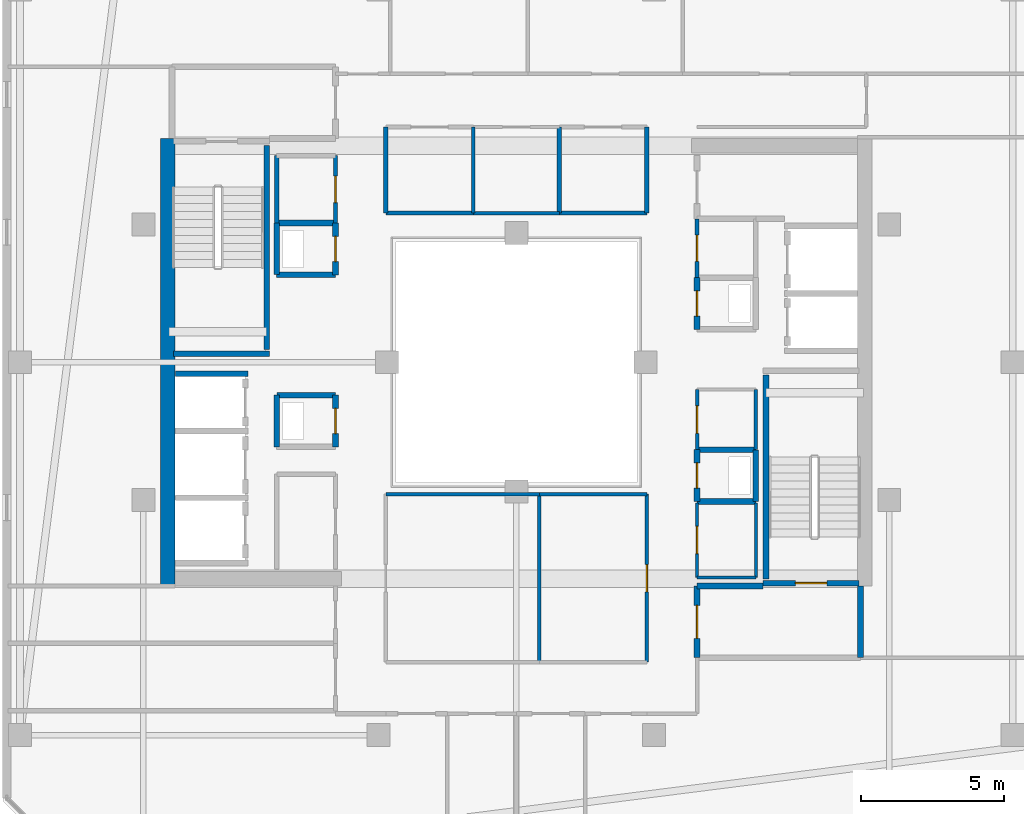
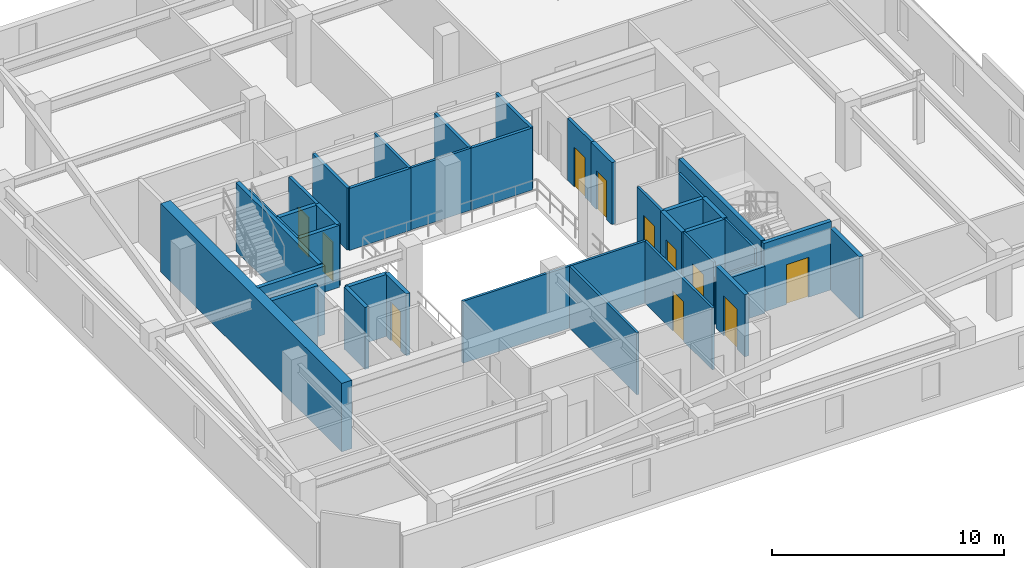
# One storey, part 26 of 35: 40 walls, 11 doors, 11 openings.
"""IFC4 building model written with IfcOpenShell, lengths in metres."""

from ifc_helpers import new_model, si_unit, direction, frame, frame_2d, origin, place, context, subcontext, project, spatial, rectangle, extrude, material, layer, layer_set, type_object, element, fill, save


model = new_model("IFC4")

# Units and contexts
model_context = context("Model", 3, precision=1e-05, world=origin(), true_north=direction((0.0, 1.0)))
body_context = subcontext(model_context, "Body", "Model", "MODEL_VIEW")
ifc_project = project(units=[si_unit("LENGTHUNIT", "METRE"), si_unit("AREAUNIT", "SQUARE_METRE"), si_unit("VOLUMEUNIT", "CUBIC_METRE"), si_unit("PLANEANGLEUNIT", "RADIAN"), si_unit("MASSUNIT", "GRAM", prefix="KILO")], contexts=[model_context])

# Site, building, storey
site_placement = place(None, origin())
site = spatial("IfcSite", under=ifc_project, at=site_placement, CompositionType="ELEMENT")
building_placement = place(site_placement, origin())
building = spatial("IfcBuilding", under=site, at=building_placement, Name="Thornwick Lancets Civic Towers", CompositionType="ELEMENT")
storey_placement = place(building_placement, frame((0.0, 0.0, 276.300048828125)))
storey = spatial("IfcBuildingStorey", under=building, at=storey_placement, Name="L74", CompositionType="ELEMENT", Elevation=276.300048828125)

# Walls
ifc_material_1 = material(Name="Concrete blockwork C40/50", Category="masonry")
ifc_layer_1 = layer(ifc_material_1, 0.199951171875, Name="Concrete blockwork C40/50")
ifc_layer_set_1 = layer_set([ifc_layer_1], Name="Concrete blockwork C40/50")
wall_type_1 = type_object("IfcWallType", Name="WALL_COMP_200", PredefinedType="STANDARD", material=ifc_layer_set_1)
wall_1_placement = place(storey_placement, frame((76.612060546875, 26.60009765625, 0.0), z_axis=(0.0, 0.0, 1.0), x_axis=(1.0, 0.0, 0.0)))
element("IfcWall", 1, at=wall_1_placement, inside=storey, type_object=wall_type_1, Name="L74 Hoistway Shaft Wall FL-B2 N", PredefinedType="STANDARD", context=body_context, shape_type="SweptSolid", body=[
    extrude(rectangle(XDim=2.535888671875, YDim=0.199951171875, at=frame_2d((1.26806640625, 0.0))), origin(), (0.0, 0.0, 1.0), 3.260009765625),
])
wall_2_placement = place(storey_placement, frame((100.5, 16.699951171875, 0.0), z_axis=(0.0, 0.0, 1.0), x_axis=(0.0, 1.0, 0.0)))
element("IfcWall", 2, at=wall_2_placement, inside=storey, type_object=wall_type_1, Name="L74 Partition L74-B-FFLOB1 E2", PredefinedType="STANDARD", context=body_context, shape_type="SweptSolid", body=[
    extrude(rectangle(XDim=2.5, YDim=0.199951171875, at=frame_2d((1.25, 0.0))), origin(), (0.0, 0.0, 1.0), 3.260009765625),
])
wall_3_placement = place(storey_placement, frame((97.10009765625, 19.199951171875, 0.0), z_axis=(0.0, 0.0, 1.0), x_axis=(-1.0, 0.0, 0.0)))
element("IfcWall", 3, at=wall_3_placement, inside=storey, type_object=wall_type_1, Name="L74 Partition L74-B-FFLOB1 E3", PredefinedType="STANDARD", context=body_context, shape_type="SweptSolid", body=[
    extrude(rectangle(XDim=2.300048828125, YDim=0.199951171875, at=frame_2d((1.14990234375, 0.0))), origin(), (0.0, 0.0, 1.0), 2.46484375),
])

# Wall, opening, door
wall_4_placement = place(storey_placement, frame((94.800048828125, 19.199951171875, 0.0), z_axis=(0.0, 0.0, 1.0), x_axis=(0.0, -1.0, 0.0)))
wall_4 = element("IfcWall", 4, at=wall_4_placement, inside=storey, type_object=wall_type_1, Name="L74 Partition L74-B-FFLOB1 E4", PredefinedType="STANDARD", context=body_context, shape_type="SweptSolid", body=[
    extrude(rectangle(XDim=2.5, YDim=0.199951171875, at=frame_2d((1.25, 0.0))), origin(), (0.0, 0.0, 1.0), 3.260009765625),
])
opening_1_placement = place(wall_4_placement, frame((0.675048828125, 0.0, 0.0)))
opening_1 = element("IfcOpeningElement", 5, at=opening_1_placement, cuts=wall_4, Name="Opening D-L74-3397", PredefinedType="OPENING", context=body_context, shape_type="SweptSolid", body=[
    extrude(rectangle(XDim=1.14990234375, YDim=2.10009765625, at=frame_2d((0.574951171875, 1.050048828125))), frame((0.0, 0.10986328125, 0.0), z_axis=(0.0, -1.0, 0.0), x_axis=(1.0, 0.0, 0.0)), (0.0, 0.0, 1.0), 0.219970703125),
])
ifc_material_2 = material(Name="Glazed fire-resisting steel", Category="steel")
door_type_1 = type_object("IfcDoorType", Name="DOOR_LOBBY_FD60", OperationType="NOTDEFINED", PredefinedType="DOOR", material=ifc_material_2)
door_1_placement = place(opening_1_placement, origin())
door_1 = element("IfcDoor", 6, at=door_1_placement, inside=storey, type_object=door_type_1, Name="L74 East Firefighting Lobby 1 Door", OperationType="SINGLE_SWING_RIGHT", OverallHeight=2.10009765625, OverallWidth=1.14990234375, PredefinedType="DOOR", context=body_context, shape_type="SweptSolid", body=[
    extrude(rectangle(XDim=1.14990234375, YDim=2.10009765625, at=frame_2d((0.574951171875, 1.050048828125))), frame((0.0, 0.02490234375, 0.0), z_axis=(0.0, -1.0, 0.0), x_axis=(1.0, 0.0, 0.0)), (0.0, 0.0, 1.0), 0.050048828125),
])
fill(opening_1, door_1)

wall_5_placement = place(storey_placement, frame((94.800048828125, 29.949951171875, 0.0), z_axis=(0.0, 0.0, 1.0), x_axis=(0.0, -1.0, 0.0)))
wall_5 = element("IfcWall", 7, at=wall_5_placement, inside=storey, type_object=wall_type_1, Name="L74 Partition L74-B-DUCT1 E4", PredefinedType="STANDARD", context=body_context, shape_type="SweptSolid", body=[
    extrude(rectangle(XDim=1.800048828125, YDim=0.199951171875, at=frame_2d((0.89990234375, 0.0))), origin(), (0.0, 0.0, 1.0), 3.260009765625),
])
opening_2_placement = place(wall_5_placement, frame((0.4599609375, 0.0, 0.0)))
opening_2 = element("IfcOpeningElement", 8, at=opening_2_placement, cuts=wall_5, Name="Opening D-L74-3399", PredefinedType="OPENING", context=body_context, shape_type="SweptSolid", body=[
    extrude(rectangle(XDim=0.8798828125, YDim=2.0400390625, at=frame_2d((0.43994140625, 1.02001953125))), frame((0.0, 0.10986328125, 0.0), z_axis=(0.0, -1.0, 0.0), x_axis=(1.0, 0.0, 0.0)), (0.0, 0.0, 1.0), 0.219970703125),
])
ifc_material_3 = material(Name="Steel riser access doorset", Category="steel")
door_type_2 = type_object("IfcDoorType", Name="DOOR_RISER_850", OperationType="NOTDEFINED", PredefinedType="DOOR", material=ifc_material_3)
door_2_placement = place(opening_2_placement, origin())
door_2 = element("IfcDoor", 9, at=door_2_placement, inside=storey, type_object=door_type_2, Name="L74 East Service Duct 1 Door", OperationType="SINGLE_SWING_RIGHT", OverallHeight=2.0400390625, OverallWidth=0.8798828125, PredefinedType="DOOR", context=body_context, shape_type="SweptSolid", body=[
    extrude(rectangle(XDim=0.8798828125, YDim=2.0400390625, at=frame_2d((0.43994140625, 1.02001953125))), frame((0.0, 0.02490234375, 0.0), z_axis=(0.0, -1.0, 0.0), x_axis=(1.0, 0.0, 0.0)), (0.0, 0.0, 1.0), 0.050048828125),
])
fill(opening_2, door_2)

# Walls
wall_6_placement = place(storey_placement, frame((94.800048828125, 22.14990234375, 0.0), z_axis=(0.0, 0.0, 1.0), x_axis=(1.0, 0.0, 0.0)))
element("IfcWall", 10, at=wall_6_placement, inside=storey, type_object=wall_type_1, Name="L74 Partition L74-B-RISER1 E1", PredefinedType="STANDARD", context=body_context, shape_type="SweptSolid", body=[
    extrude(rectangle(XDim=2.050048828125, YDim=0.199951171875, at=frame_2d((1.02490234375, 0.0))), origin(), (0.0, 0.0, 1.0), 3.260009765625),
])
wall_7_placement = place(storey_placement, frame((96.85009765625, 22.14990234375, 0.0), z_axis=(0.0, 0.0, 1.0), x_axis=(0.0, 1.0, 0.0)))
element("IfcWall", 11, at=wall_7_placement, inside=storey, type_object=wall_type_1, Name="L74 Partition L74-B-RISER1 E2", PredefinedType="STANDARD", context=body_context, shape_type="SweptSolid", body=[
    extrude(rectangle(XDim=1.800048828125, YDim=0.199951171875, at=frame_2d((0.89990234375, 0.0))), origin(), (0.0, 0.0, 1.0), 3.260009765625),
])
wall_8_placement = place(storey_placement, frame((96.85009765625, 23.949951171875, 0.0), z_axis=(0.0, 0.0, 1.0), x_axis=(-1.0, 0.0, 0.0)))
element("IfcWall", 12, at=wall_8_placement, inside=storey, type_object=wall_type_1, Name="L74 Partition L74-B-RISER1 E3", PredefinedType="STANDARD", context=body_context, shape_type="SweptSolid", body=[
    extrude(rectangle(XDim=2.050048828125, YDim=0.199951171875, at=frame_2d((1.02490234375, 0.0))), origin(), (0.0, 0.0, 1.0), 3.260009765625),
])

# Wall, opening, door
wall_9_placement = place(storey_placement, frame((94.800048828125, 23.949951171875, 0.0), z_axis=(0.0, 0.0, 1.0), x_axis=(0.0, -1.0, 0.0)))
wall_9 = element("IfcWall", 13, at=wall_9_placement, inside=storey, type_object=wall_type_1, Name="L74 Partition L74-B-RISER1 E4", PredefinedType="STANDARD", context=body_context, shape_type="SweptSolid", body=[
    extrude(rectangle(XDim=1.800048828125, YDim=0.199951171875, at=frame_2d((0.89990234375, 0.0))), origin(), (0.0, 0.0, 1.0), 3.260009765625),
])
opening_3_placement = place(wall_9_placement, frame((0.4599609375, 0.0, 0.0)))
opening_3 = element("IfcOpeningElement", 14, at=opening_3_placement, cuts=wall_9, Name="Opening D-L74-3400", PredefinedType="OPENING", context=body_context, shape_type="SweptSolid", body=[
    extrude(rectangle(XDim=0.8798828125, YDim=2.0400390625, at=frame_2d((0.43994140625, 1.02001953125))), frame((0.0, 0.10986328125, 0.0), z_axis=(0.0, -1.0, 0.0), x_axis=(1.0, 0.0, 0.0)), (0.0, 0.0, 1.0), 0.219970703125),
])
door_3_placement = place(opening_3_placement, origin())
door_3 = element("IfcDoor", 15, at=door_3_placement, inside=storey, type_object=door_type_2, Name="L74 East Electrical Riser 1 Door", OperationType="SINGLE_SWING_LEFT", OverallHeight=2.0400390625, OverallWidth=0.8798828125, PredefinedType="DOOR", context=body_context, shape_type="SweptSolid", body=[
    extrude(rectangle(XDim=0.8798828125, YDim=2.0400390625, at=frame_2d((0.43994140625, 1.02001953125))), frame((0.0, 0.02490234375, 0.0), z_axis=(0.0, -1.0, 0.0), x_axis=(1.0, 0.0, 0.0)), (0.0, 0.0, 1.0), 0.050048828125),
])
fill(opening_3, door_3)

wall_10_placement = place(storey_placement, frame((82.199951171875, 24.050048828125, 0.0), z_axis=(0.0, 0.0, 1.0), x_axis=(0.0, 1.0, 0.0)))
wall_10 = element("IfcWall", 16, at=wall_10_placement, inside=storey, type_object=wall_type_1, Name="L74 Partition L74-B-DUCT2 E2", PredefinedType="STANDARD", context=body_context, shape_type="SweptSolid", body=[
    extrude(rectangle(XDim=1.800048828125, YDim=0.199951171875, at=frame_2d((0.89990234375, 0.0))), origin(), (0.0, 0.0, 1.0), 3.260009765625),
])
opening_4_placement = place(wall_10_placement, frame((0.4599609375, 0.0, 0.0)))
opening_4 = element("IfcOpeningElement", 17, at=opening_4_placement, cuts=wall_10, Name="Opening D-L74-3401", PredefinedType="OPENING", context=body_context, shape_type="SweptSolid", body=[
    extrude(rectangle(XDim=0.8798828125, YDim=2.0400390625, at=frame_2d((0.43994140625, 1.02001953125))), frame((0.0, 0.10986328125, 0.0), z_axis=(0.0, -1.0, 0.0), x_axis=(1.0, 0.0, 0.0)), (0.0, 0.0, 1.0), 0.219970703125),
])
door_4_placement = place(opening_4_placement, origin())
door_4 = element("IfcDoor", 18, at=door_4_placement, inside=storey, type_object=door_type_2, Name="L74 West Service Duct 2 Door", OperationType="SINGLE_SWING_RIGHT", OverallHeight=2.0400390625, OverallWidth=0.8798828125, PredefinedType="DOOR", context=body_context, shape_type="SweptSolid", body=[
    extrude(rectangle(XDim=0.8798828125, YDim=2.0400390625, at=frame_2d((0.43994140625, 1.02001953125))), frame((0.0, 0.02490234375, 0.0), z_axis=(0.0, -1.0, 0.0), x_axis=(1.0, 0.0, 0.0)), (0.0, 0.0, 1.0), 0.050048828125),
])
fill(opening_4, door_4)

# Walls
wall_11_placement = place(storey_placement, frame((82.199951171875, 25.85009765625, 0.0), z_axis=(0.0, 0.0, 1.0), x_axis=(-1.0, 0.0, 0.0)))
element("IfcWall", 19, at=wall_11_placement, inside=storey, type_object=wall_type_1, Name="L74 Partition L74-B-DUCT2 E3", PredefinedType="STANDARD", context=body_context, shape_type="SweptSolid", body=[
    extrude(rectangle(XDim=2.050048828125, YDim=0.199951171875, at=frame_2d((1.02490234375, 0.0))), origin(), (0.0, 0.0, 1.0), 3.260009765625),
])
wall_12_placement = place(storey_placement, frame((80.14990234375, 25.85009765625, 0.0), z_axis=(0.0, 0.0, 1.0), x_axis=(0.0, -1.0, 0.0)))
element("IfcWall", 20, at=wall_12_placement, inside=storey, type_object=wall_type_1, Name="L74 Partition L74-B-DUCT2 E4", PredefinedType="STANDARD", context=body_context, shape_type="SweptSolid", body=[
    extrude(rectangle(XDim=1.800048828125, YDim=0.199951171875, at=frame_2d((0.89990234375, 0.0))), origin(), (0.0, 0.0, 1.0), 3.260009765625),
])
wall_13_placement = place(storey_placement, frame((80.14990234375, 30.050048828125, 0.0), z_axis=(0.0, 0.0, 1.0), x_axis=(1.0, 0.0, 0.0)))
element("IfcWall", 21, at=wall_13_placement, inside=storey, type_object=wall_type_1, Name="L74 Partition L74-B-RISER2 E1", PredefinedType="STANDARD", context=body_context, shape_type="SweptSolid", body=[
    extrude(rectangle(XDim=2.050048828125, YDim=0.199951171875, at=frame_2d((1.02490234375, 0.0))), origin(), (0.0, 0.0, 1.0), 3.260009765625),
])

# Wall, opening, door
wall_14_placement = place(storey_placement, frame((82.199951171875, 30.050048828125, 0.0), z_axis=(0.0, 0.0, 1.0), x_axis=(0.0, 1.0, 0.0)))
wall_14 = element("IfcWall", 22, at=wall_14_placement, inside=storey, type_object=wall_type_1, Name="L74 Partition L74-B-RISER2 E2", PredefinedType="STANDARD", context=body_context, shape_type="SweptSolid", body=[
    extrude(rectangle(XDim=1.800048828125, YDim=0.199951171875, at=frame_2d((0.89990234375, 0.0))), origin(), (0.0, 0.0, 1.0), 3.260009765625),
])
opening_5_placement = place(wall_14_placement, frame((0.4599609375, 0.0, 0.0)))
opening_5 = element("IfcOpeningElement", 23, at=opening_5_placement, cuts=wall_14, Name="Opening D-L74-3402", PredefinedType="OPENING", context=body_context, shape_type="SweptSolid", body=[
    extrude(rectangle(XDim=0.8798828125, YDim=2.0400390625, at=frame_2d((0.43994140625, 1.02001953125))), frame((0.0, 0.10986328125, 0.0), z_axis=(0.0, -1.0, 0.0), x_axis=(1.0, 0.0, 0.0)), (0.0, 0.0, 1.0), 0.219970703125),
])
door_5_placement = place(opening_5_placement, origin())
door_5 = element("IfcDoor", 24, at=door_5_placement, inside=storey, type_object=door_type_2, Name="L74 West Service Riser 2 Door", OperationType="SINGLE_SWING_LEFT", OverallHeight=2.0400390625, OverallWidth=0.8798828125, PredefinedType="DOOR", context=body_context, shape_type="SweptSolid", body=[
    extrude(rectangle(XDim=0.8798828125, YDim=2.0400390625, at=frame_2d((0.43994140625, 1.02001953125))), frame((0.0, 0.02490234375, 0.0), z_axis=(0.0, -1.0, 0.0), x_axis=(1.0, 0.0, 0.0)), (0.0, 0.0, 1.0), 0.050048828125),
])
fill(opening_5, door_5)

# Walls
wall_15_placement = place(storey_placement, frame((82.199951171875, 31.85009765625, 0.0), z_axis=(0.0, 0.0, 1.0), x_axis=(-1.0, 0.0, 0.0)))
element("IfcWall", 25, at=wall_15_placement, inside=storey, type_object=wall_type_1, Name="L74 Partition L74-B-RISER2 E3", PredefinedType="STANDARD", context=body_context, shape_type="SweptSolid", body=[
    extrude(rectangle(XDim=2.050048828125, YDim=0.199951171875, at=frame_2d((1.02490234375, 0.0))), origin(), (0.0, 0.0, 1.0), 3.260009765625),
])
wall_16_placement = place(storey_placement, frame((80.14990234375, 31.85009765625, 0.0), z_axis=(0.0, 0.0, 1.0), x_axis=(0.0, -1.0, 0.0)))
element("IfcWall", 26, at=wall_16_placement, inside=storey, type_object=wall_type_1, Name="L74 Partition L74-B-RISER2 E4", PredefinedType="STANDARD", context=body_context, shape_type="SweptSolid", body=[
    extrude(rectangle(XDim=1.800048828125, YDim=0.199951171875, at=frame_2d((0.89990234375, 0.0))), origin(), (0.0, 0.0, 1.0), 3.260009765625),
])
ifc_material_4 = material(Name="Concrete C50/60", Category="concrete")
ifc_layer_2 = layer(ifc_material_4, 0.5, Name="Concrete C50/60")
ifc_layer_set_2 = layer_set([ifc_layer_2], Name="Concrete C50/60")
wall_type_2 = type_object("IfcWallType", Name="WALL_CORE_500", PredefinedType="SHEAR", material=ifc_layer_set_2)
wall_17_placement = place(storey_placement, frame((76.35009765625, 19.199951171875, 0.0), z_axis=(0.0, 0.0, 1.0), x_axis=(0.0, 1.0, 0.0)))
element("IfcWall", 27, at=wall_17_placement, inside=storey, type_object=wall_type_2, Name="L74 Split Core B2 Shear Wall W", PredefinedType="SHEAR", context=body_context, shape_type="SweptSolid", body=[
    extrude(rectangle(XDim=15.60009765625, YDim=0.5, at=frame_2d((7.800048828125, 0.0))), origin(), (0.0, 0.0, 1.0), 3.599853515625),
])
ifc_material_5 = material(Name="Lightweight cellular office partition")
ifc_layer_3 = layer(ifc_material_5, 0.10009765625, Name="Lightweight cellular office partition")
ifc_layer_set_3 = layer_set([ifc_layer_3], Name="Lightweight cellular office partition")
wall_type_3 = type_object("IfcWallType", Name="WALL_PART_100", PredefinedType="PARTITIONING", material=ifc_layer_set_3)
wall_18_placement = place(storey_placement, frame((94.800048828125, 19.5, 0.0), z_axis=(0.0, 0.0, 1.0), x_axis=(1.0, 0.0, 0.0)))
element("IfcWall", 28, at=wall_18_placement, inside=storey, type_object=wall_type_3, Name="L74 Partition L74-B-CLN E1", PredefinedType="PARTITIONING", context=body_context, shape_type="SweptSolid", body=[
    extrude(rectangle(XDim=2.050048828125, YDim=0.10009765625, at=frame_2d((1.02490234375, 0.0))), origin(), (0.0, 0.0, 1.0), 2.46484375),
])
wall_19_placement = place(storey_placement, frame((96.85009765625, 19.5, 0.0), z_axis=(0.0, 0.0, 1.0), x_axis=(0.0, 1.0, 0.0)))
element("IfcWall", 29, at=wall_19_placement, inside=storey, type_object=wall_type_3, Name="L74 Partition L74-B-CLN E2", PredefinedType="PARTITIONING", context=body_context, shape_type="SweptSolid", body=[
    extrude(rectangle(XDim=2.60009765625, YDim=0.10009765625, at=frame_2d((1.300048828125, 0.0))), origin(), (0.0, 0.0, 1.0), 3.260009765625),
])

# Wall, opening, door
wall_20_placement = place(storey_placement, frame((94.800048828125, 22.10009765625, 0.0), z_axis=(0.0, 0.0, 1.0), x_axis=(0.0, -1.0, 0.0)))
wall_20 = element("IfcWall", 30, at=wall_20_placement, inside=storey, type_object=wall_type_3, Name="L74 Partition L74-B-CLN E4", PredefinedType="PARTITIONING", context=body_context, shape_type="SweptSolid", body=[
    extrude(rectangle(XDim=2.60009765625, YDim=0.10009765625, at=frame_2d((1.300048828125, 0.0))), origin(), (0.0, 0.0, 1.0), 3.260009765625),
])
opening_6_placement = place(wall_20_placement, frame((0.824951171875, 0.0, 0.0)))
opening_6 = element("IfcOpeningElement", 31, at=opening_6_placement, cuts=wall_20, Name="Opening D-L74-3403", PredefinedType="OPENING", context=body_context, shape_type="SweptSolid", body=[
    extrude(rectangle(XDim=0.949951171875, YDim=2.10009765625, at=frame_2d((0.47509765625, 1.050048828125))), frame((0.0, 0.06005859375, 0.0), z_axis=(0.0, -1.0, 0.0), x_axis=(1.0, 0.0, 0.0)), (0.0, 0.0, 1.0), 0.1201171875),
])
ifc_material_6 = material(Name="European oak acoustic doorset")
door_type_3 = type_object("IfcDoorType", Name="DOOR_OFFICE_950", OperationType="NOTDEFINED", PredefinedType="DOOR", material=ifc_material_6)
door_6_placement = place(opening_6_placement, origin())
door_6 = element("IfcDoor", 32, at=door_6_placement, inside=storey, type_object=door_type_3, Name="L74 Tower B Cleaners Store Door", OperationType="SINGLE_SWING_RIGHT", OverallHeight=2.10009765625, OverallWidth=0.949951171875, PredefinedType="DOOR", context=body_context, shape_type="SweptSolid", body=[
    extrude(rectangle(XDim=0.949951171875, YDim=2.10009765625, at=frame_2d((0.47509765625, 1.050048828125))), frame((0.0, 0.02490234375, 0.0), z_axis=(0.0, -1.0, 0.0), x_axis=(1.0, 0.0, 0.0)), (0.0, 0.0, 1.0), 0.050048828125),
])
fill(opening_6, door_6)

ifc_material_7 = material(Name="Acoustic gypsum board partition")
ifc_layer_4 = layer(ifc_material_7, 0.1201171875, Name="Acoustic gypsum board partition")
ifc_layer_set_4 = layer_set([ifc_layer_4], Name="Acoustic gypsum board partition")
wall_type_4 = type_object("IfcWallType", Name="WALL_PART_120", PredefinedType="PARTITIONING", material=ifc_layer_set_4)
wall_21_placement = place(storey_placement, frame((94.800048828125, 23.949951171875, 0.0), z_axis=(0.0, 0.0, 1.0), x_axis=(0.0, 1.0, 0.0)))
wall_21 = element("IfcWall", 33, at=wall_21_placement, inside=storey, type_object=wall_type_4, Name="L74 Partition L74-B-ITR E1", PredefinedType="PARTITIONING", context=body_context, shape_type="SweptSolid", body=[
    extrude(rectangle(XDim=2.10009765625, YDim=0.1201171875, at=frame_2d((1.050048828125, 0.0))), origin(), (0.0, 0.0, 1.0), 3.260009765625),
])
opening_7_placement = place(wall_21_placement, frame((0.574951171875, 0.0, 0.0)))
opening_7 = element("IfcOpeningElement", 34, at=opening_7_placement, cuts=wall_21, Name="Opening D-L74-3404", PredefinedType="OPENING", context=body_context, shape_type="SweptSolid", body=[
    extrude(rectangle(XDim=0.949951171875, YDim=2.10009765625, at=frame_2d((0.47509765625, 1.050048828125))), frame((0.0, 0.070068359375, 0.0), z_axis=(0.0, -1.0, 0.0), x_axis=(1.0, 0.0, 0.0)), (0.0, 0.0, 1.0), 0.14013671875),
])
door_7_placement = place(opening_7_placement, origin())
door_7 = element("IfcDoor", 35, at=door_7_placement, inside=storey, type_object=door_type_3, Name="L74 Tower B Comms Patch Room Door", OperationType="SINGLE_SWING_LEFT", OverallHeight=2.10009765625, OverallWidth=0.949951171875, PredefinedType="DOOR", context=body_context, shape_type="SweptSolid", body=[
    extrude(rectangle(XDim=0.949951171875, YDim=2.10009765625, at=frame_2d((0.47509765625, 1.050048828125))), frame((0.0, 0.02490234375, 0.0), z_axis=(0.0, -1.0, 0.0), x_axis=(1.0, 0.0, 0.0)), (0.0, 0.0, 1.0), 0.050048828125),
])
fill(opening_7, door_7)

# Walls
wall_22_placement = place(storey_placement, frame((96.85009765625, 26.050048828125, 0.0), z_axis=(0.0, 0.0, 1.0), x_axis=(0.0, -1.0, 0.0)))
element("IfcWall", 36, at=wall_22_placement, inside=storey, type_object=wall_type_4, Name="L74 Partition L74-B-ITR E3", PredefinedType="PARTITIONING", context=body_context, shape_type="SweptSolid", body=[
    extrude(rectangle(XDim=2.10009765625, YDim=0.1201171875, at=frame_2d((1.050048828125, 0.0))), origin(), (0.0, 0.0, 1.0), 3.260009765625),
])
wall_23_placement = place(storey_placement, frame((89.300048828125, 16.550048828125, 0.0), z_axis=(0.0, 0.0, 1.0), x_axis=(0.0, 1.0, 0.0)))
element("IfcWall", 37, at=wall_23_placement, inside=storey, type_object=wall_type_4, Name="L74 Partition L74-B-W3 E1", PredefinedType="PARTITIONING", context=body_context, shape_type="SweptSolid", body=[
    extrude(rectangle(XDim=5.849853515625, YDim=0.1201171875, at=frame_2d((2.9248046875, 0.0))), origin(), (0.0, 0.0, 1.0), 3.260009765625),
])
wall_24_placement = place(storey_placement, frame((89.300048828125, 22.39990234375, 0.0), z_axis=(0.0, 0.0, 1.0), x_axis=(1.0, 0.0, 0.0)))
element("IfcWall", 38, at=wall_24_placement, inside=storey, type_object=wall_type_4, Name="L74 Partition L74-B-W3 E2", PredefinedType="PARTITIONING", context=body_context, shape_type="SweptSolid", body=[
    extrude(rectangle(XDim=3.75, YDim=0.1201171875, at=frame_2d((1.875, 0.0))), origin(), (0.0, 0.0, 1.0), 3.260009765625),
])

# Wall, opening, door
wall_25_placement = place(storey_placement, frame((93.050048828125, 22.39990234375, 0.0), z_axis=(0.0, 0.0, 1.0), x_axis=(0.0, -1.0, 0.0)))
wall_25 = element("IfcWall", 39, at=wall_25_placement, inside=storey, type_object=wall_type_4, Name="L74 Partition L74-B-W3 E3", PredefinedType="PARTITIONING", context=body_context, shape_type="SweptSolid", body=[
    extrude(rectangle(XDim=5.849853515625, YDim=0.1201171875, at=frame_2d((2.9248046875, 0.0))), origin(), (0.0, 0.0, 1.0), 3.260009765625),
])
opening_8_placement = place(wall_25_placement, frame((2.449951171875, 0.0, 0.0)))
opening_8 = element("IfcOpeningElement", 40, at=opening_8_placement, cuts=wall_25, Name="Opening D-L74-3432", PredefinedType="OPENING", context=body_context, shape_type="SweptSolid", body=[
    extrude(rectangle(XDim=0.949951171875, YDim=2.10009765625, at=frame_2d((0.47509765625, 1.050048828125))), frame((0.0, 0.070068359375, 0.0), z_axis=(0.0, -1.0, 0.0), x_axis=(1.0, 0.0, 0.0)), (0.0, 0.0, 1.0), 0.14013671875),
])
door_8_placement = place(opening_8_placement, origin())
door_8 = element("IfcDoor", 41, at=door_8_placement, inside=storey, type_object=door_type_3, Name="L74 Tower B Staff Tea Pantry and Lounge Door", OperationType="SINGLE_SWING_LEFT", OverallHeight=2.10009765625, OverallWidth=0.949951171875, PredefinedType="DOOR", context=body_context, shape_type="SweptSolid", body=[
    extrude(rectangle(XDim=0.949951171875, YDim=2.10009765625, at=frame_2d((0.47509765625, 1.050048828125))), frame((0.0, 0.02490234375, 0.0), z_axis=(0.0, -1.0, 0.0), x_axis=(1.0, 0.0, 0.0)), (0.0, 0.0, 1.0), 0.050048828125),
])
fill(opening_8, door_8)

# Walls
wall_26_placement = place(storey_placement, frame((83.949951171875, 22.39990234375, 0.0), z_axis=(0.0, 0.0, 1.0), x_axis=(1.0, 0.0, 0.0)))
element("IfcWall", 42, at=wall_26_placement, inside=storey, type_object=wall_type_4, Name="L74 Partition L74-B-W4 E2", PredefinedType="PARTITIONING", context=body_context, shape_type="SweptSolid", body=[
    extrude(rectangle(XDim=5.35009765625, YDim=0.1201171875, at=frame_2d((2.675048828125, 0.0))), origin(), (0.0, 0.0, 1.0), 3.260009765625),
])
for number, where, z_axis, x_axis, name in (
    (43, (87.0, 32.199951171875, 0.0), (0.0, 0.0, 1.0), (0.0, 1.0, 0.0), "L74 Partition L74-B-E-ATR-2 E1"),
    (44, (90.0, 32.199951171875, 0.0), (0.0, 0.0, 1.0), (-1.0, 0.0, 0.0), "L74 Partition L74-B-E-ATR-2 E4"),
):
    element("IfcWall", number, at=place(storey_placement, frame(where, z_axis=z_axis, x_axis=x_axis)), inside=storey, type_object=wall_type_4, Name=name, PredefinedType="PARTITIONING", context=body_context, shape_type="SweptSolid", body=[
        extrude(rectangle(XDim=3.0, YDim=0.1201171875, at=frame_2d((1.5, 0.0))), origin(), (0.0, 0.0, 1.0), 3.260009765625),
    ])

# Wall, opening, door
ifc_material_8 = material(Name="Twin-stud acoustic gypsum board")
ifc_layer_5 = layer(ifc_material_8, 0.14990234375, Name="Twin-stud acoustic gypsum board")
ifc_layer_set_5 = layer_set([ifc_layer_5], Name="Twin-stud acoustic gypsum board")
wall_type_5 = type_object("IfcWallType", Name="WALL_PART_150", PredefinedType="PARTITIONING", material=ifc_layer_set_5)
wall_27_placement = place(storey_placement, frame((94.800048828125, 29.949951171875, 0.0), z_axis=(0.0, 0.0, 1.0), x_axis=(0.0, 1.0, 0.0)))
wall_27 = element("IfcWall", 45, at=wall_27_placement, inside=storey, type_object=wall_type_5, Name="L74 Partition L74-B-AWC E1", PredefinedType="PARTITIONING", context=body_context, shape_type="SweptSolid", body=[
    extrude(rectangle(XDim=2.050048828125, YDim=0.14990234375, at=frame_2d((1.02490234375, 0.0))), origin(), (0.0, 0.0, 1.0), 3.260009765625),
])
opening_9_placement = place(wall_27_placement, frame((0.56494140625, 0.0, 0.0)))
opening_9 = element("IfcOpeningElement", 46, at=opening_9_placement, cuts=wall_27, Name="Opening D-L74-3405", PredefinedType="OPENING", context=body_context, shape_type="SweptSolid", body=[
    extrude(rectangle(XDim=0.919921875, YDim=2.080078125, at=frame_2d((0.4599609375, 1.0400390625))), frame((0.0, 0.0849609375, 0.0), z_axis=(0.0, -1.0, 0.0), x_axis=(1.0, 0.0, 0.0)), (0.0, 0.0, 1.0), 0.169921875),
])
ifc_material_9 = material(Name="Moisture-resistant oak doorset")
door_type_4 = type_object("IfcDoorType", Name="DOOR_WC_900", OperationType="NOTDEFINED", PredefinedType="DOOR", material=ifc_material_9)
door_9_placement = place(opening_9_placement, origin())
door_9 = element("IfcDoor", 47, at=door_9_placement, inside=storey, type_object=door_type_4, Name="L74 Tower B Accessible WC Door", OperationType="SINGLE_SWING_RIGHT", OverallHeight=2.080078125, OverallWidth=0.919921875, PredefinedType="DOOR", context=body_context, shape_type="SweptSolid", body=[
    extrude(rectangle(XDim=0.919921875, YDim=2.080078125, at=frame_2d((0.4599609375, 1.0400390625))), frame((0.0, 0.02490234375, 0.0), z_axis=(0.0, -1.0, 0.0), x_axis=(1.0, 0.0, 0.0)), (0.0, 0.0, 1.0), 0.050048828125),
])
fill(opening_9, door_9)

# Wall
wall_28_placement = place(storey_placement, frame((80.14990234375, 31.85009765625, 0.0), z_axis=(0.0, 0.0, 1.0), x_axis=(0.0, 1.0, 0.0)))
element("IfcWall", 48, at=wall_28_placement, inside=storey, type_object=wall_type_5, Name="L74 Partition L74-B-FWC E1", PredefinedType="PARTITIONING", context=body_context, shape_type="SweptSolid", body=[
    extrude(rectangle(XDim=2.349853515625, YDim=0.14990234375, at=frame_2d((1.1748046875, 0.0))), origin(), (0.0, 0.0, 1.0), 3.260009765625),
])

# Wall, opening, door
wall_29_placement = place(storey_placement, frame((82.199951171875, 34.199951171875, 0.0), z_axis=(0.0, 0.0, 1.0), x_axis=(0.0, -1.0, 0.0)))
wall_29 = element("IfcWall", 49, at=wall_29_placement, inside=storey, type_object=wall_type_5, Name="L74 Partition L74-B-FWC E3", PredefinedType="PARTITIONING", context=body_context, shape_type="SweptSolid", body=[
    extrude(rectangle(XDim=2.349853515625, YDim=0.14990234375, at=frame_2d((1.1748046875, 0.0))), origin(), (0.0, 0.0, 1.0), 3.260009765625),
])
opening_10_placement = place(wall_29_placement, frame((0.715087890625, 0.0, 0.0)))
opening_10 = element("IfcOpeningElement", 50, at=opening_10_placement, cuts=wall_29, Name="Opening D-L74-3408", PredefinedType="OPENING", context=body_context, shape_type="SweptSolid", body=[
    extrude(rectangle(XDim=0.919921875, YDim=2.080078125, at=frame_2d((0.4599609375, 1.0400390625))), frame((0.0, 0.0849609375, 0.0), z_axis=(0.0, -1.0, 0.0), x_axis=(1.0, 0.0, 0.0)), (0.0, 0.0, 1.0), 0.169921875),
])
door_10_placement = place(opening_10_placement, origin())
door_10 = element("IfcDoor", 51, at=door_10_placement, inside=storey, type_object=door_type_4, Name="L74 Tower B Female WC Door", OperationType="SINGLE_SWING_LEFT", OverallHeight=2.080078125, OverallWidth=0.919921875, PredefinedType="DOOR", context=body_context, shape_type="SweptSolid", body=[
    extrude(rectangle(XDim=0.919921875, YDim=2.080078125, at=frame_2d((0.4599609375, 1.0400390625))), frame((0.0, 0.02490234375, 0.0), z_axis=(0.0, -1.0, 0.0), x_axis=(1.0, 0.0, 0.0)), (0.0, 0.0, 1.0), 0.050048828125),
])
fill(opening_10, door_10)

# Walls
for number, where, z_axis, x_axis, name in (
    (52, (90.0, 32.199951171875, 0.0), (0.0, 0.0, 1.0), (0.0, 1.0, 0.0), "L74 Partition L74-B-E-ATR-1 E1"),
    (53, (93.050048828125, 35.199951171875, 0.0), (0.0, 0.0, 1.0), (0.0, -1.0, 0.0), "L74 Partition L74-B-E-ATR-1 E3"),
):
    element("IfcWall", number, at=place(storey_placement, frame(where, z_axis=z_axis, x_axis=x_axis)), inside=storey, type_object=wall_type_5, Name=name, PredefinedType="PARTITIONING", context=body_context, shape_type="SweptSolid", body=[
        extrude(rectangle(XDim=3.0, YDim=0.14990234375, at=frame_2d((1.5, 0.0))), origin(), (0.0, 0.0, 1.0), 3.260009765625),
    ])
wall_30_placement = place(storey_placement, frame((93.050048828125, 32.199951171875, 0.0), z_axis=(0.0, 0.0, 1.0), x_axis=(-1.0, 0.0, 0.0)))
element("IfcWall", 54, at=wall_30_placement, inside=storey, type_object=wall_type_5, Name="L74 Partition L74-B-E-ATR-1 E4", PredefinedType="PARTITIONING", context=body_context, shape_type="SweptSolid", body=[
    extrude(rectangle(XDim=3.050048828125, YDim=0.14990234375, at=frame_2d((1.52490234375, 0.0))), origin(), (0.0, 0.0, 1.0), 3.260009765625),
])
wall_31_placement = place(storey_placement, frame((83.949951171875, 32.199951171875, 0.0), z_axis=(0.0, 0.0, 1.0), x_axis=(0.0, 1.0, 0.0)))
element("IfcWall", 55, at=wall_31_placement, inside=storey, type_object=wall_type_5, Name="L74 Partition L74-B-E-ATR-3 E1", PredefinedType="PARTITIONING", context=body_context, shape_type="SweptSolid", body=[
    extrude(rectangle(XDim=3.0, YDim=0.14990234375, at=frame_2d((1.5, 0.0))), origin(), (0.0, 0.0, 1.0), 3.260009765625),
])
wall_32_placement = place(storey_placement, frame((87.0, 32.199951171875, 0.0), z_axis=(0.0, 0.0, 1.0), x_axis=(-1.0, 0.0, 0.0)))
element("IfcWall", 56, at=wall_32_placement, inside=storey, type_object=wall_type_5, Name="L74 Partition L74-B-E-ATR-3 E4", PredefinedType="PARTITIONING", context=body_context, shape_type="SweptSolid", body=[
    extrude(rectangle(XDim=3.050048828125, YDim=0.14990234375, at=frame_2d((1.52490234375, 0.0))), origin(), (0.0, 0.0, 1.0), 3.260009765625),
])

# Wall, opening, door
ifc_material_10 = material(Name="Concrete C40/50", Category="concrete")
ifc_layer_6 = layer(ifc_material_10, 0.199951171875, Name="Concrete C40/50")
ifc_layer_set_6 = layer_set([ifc_layer_6], Name="Concrete C40/50")
wall_type_6 = type_object("IfcWallType", Name="WALL_SHAFT_200", PredefinedType="SHEAR", material=ifc_layer_set_6)
wall_33_placement = place(storey_placement, frame((100.449951171875, 19.300048828125, 0.0), z_axis=(0.0, 0.0, 1.0), x_axis=(-1.0, 0.0, 0.0)))
wall_33 = element("IfcWall", 57, at=wall_33_placement, inside=storey, type_object=wall_type_6, Name="L74 ST-B1 Fire Stair Core Wall NEAR", PredefinedType="SHEAR", context=body_context, shape_type="SweptSolid", body=[
    extrude(rectangle(XDim=3.349853515625, YDim=0.199951171875, at=frame_2d((1.6748046875, 0.0))), origin(), (0.0, 0.0, 1.0), 3.599853515625),
])
opening_11_placement = place(wall_33_placement, frame((1.125, 0.0, 0.0)))
opening_11 = element("IfcOpeningElement", 58, at=opening_11_placement, cuts=wall_33, Name="Opening D-ST-B1-L74", PredefinedType="OPENING", context=body_context, shape_type="SweptSolid", body=[
    extrude(rectangle(XDim=1.10009765625, YDim=2.10009765625, at=frame_2d((0.550048828125, 1.050048828125))), frame((0.0, 0.10986328125, 0.0), z_axis=(0.0, -1.0, 0.0), x_axis=(1.0, 0.0, 0.0)), (0.0, 0.0, 1.0), 0.219970703125),
])
ifc_material_11 = material(Name="Fire-resisting steel and hardwood", Category="steel")
door_type_5 = type_object("IfcDoorType", Name="DOOR_STAIR_FD60", OperationType="NOTDEFINED", PredefinedType="DOOR", material=ifc_material_11)
door_11_placement = place(opening_11_placement, origin())
door_11 = element("IfcDoor", 59, at=door_11_placement, inside=storey, type_object=door_type_5, Name="L74 ST-B1 Exit Stair Door", OperationType="SINGLE_SWING_RIGHT", OverallHeight=2.10009765625, OverallWidth=1.10009765625, PredefinedType="DOOR", context=body_context, shape_type="SweptSolid", body=[
    extrude(rectangle(XDim=1.10009765625, YDim=2.10009765625, at=frame_2d((0.550048828125, 1.050048828125))), frame((0.0, 0.02490234375, 0.0), z_axis=(0.0, -1.0, 0.0), x_axis=(1.0, 0.0, 0.0)), (0.0, 0.0, 1.0), 0.050048828125),
])
fill(opening_11, door_11)

# Walls
wall_34_placement = place(storey_placement, frame((97.202880859375, 26.550048828125, 0.0), z_axis=(0.0, 0.0, 1.0), x_axis=(0.0, -1.0, 0.0)))
element("IfcWall", 60, at=wall_34_placement, inside=storey, type_object=wall_type_6, Name="L74 ST-B1 Fire Stair Core Wall RIGHT", PredefinedType="SHEAR", context=body_context, shape_type="SweptSolid", body=[
    extrude(rectangle(XDim=7.10009765625, YDim=0.199951171875, at=frame_2d((3.550048828125, 0.0))), origin(), (0.0, 0.0, 1.0), 3.599853515625),
])
wall_35_placement = place(storey_placement, frame((79.89990234375, 27.300048828125, 0.0), z_axis=(0.0, 0.0, 1.0), x_axis=(-1.0, 0.0, 0.0)))
element("IfcWall", 61, at=wall_35_placement, inside=storey, type_object=wall_type_6, Name="L74 ST-B2 Fire Stair Core Wall FAR", PredefinedType="SHEAR", context=body_context, shape_type="SweptSolid", body=[
    extrude(rectangle(XDim=3.349853515625, YDim=0.199951171875, at=frame_2d((1.6748046875, 0.0))), origin(), (0.0, 0.0, 1.0), 3.599853515625),
])
wall_36_placement = place(storey_placement, frame((79.797119140625, 27.449951171875, 0.0), z_axis=(0.0, 0.0, 1.0), x_axis=(0.0, 1.0, 0.0)))
element("IfcWall", 62, at=wall_36_placement, inside=storey, type_object=wall_type_6, Name="L74 ST-B2 Fire Stair Core Wall RIGHT", PredefinedType="SHEAR", context=body_context, shape_type="SweptSolid", body=[
    extrude(rectangle(XDim=7.10009765625, YDim=0.199951171875, at=frame_2d((3.550048828125, 0.0))), origin(), (0.0, 0.0, 1.0), 3.599853515625),
])

save(model, "model.ifc")
